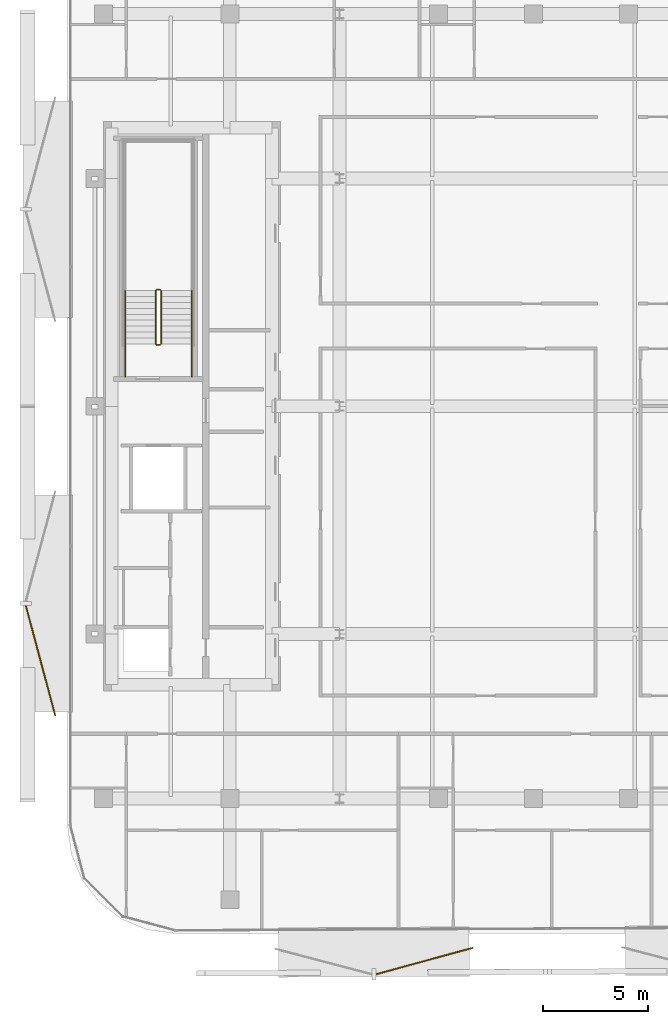
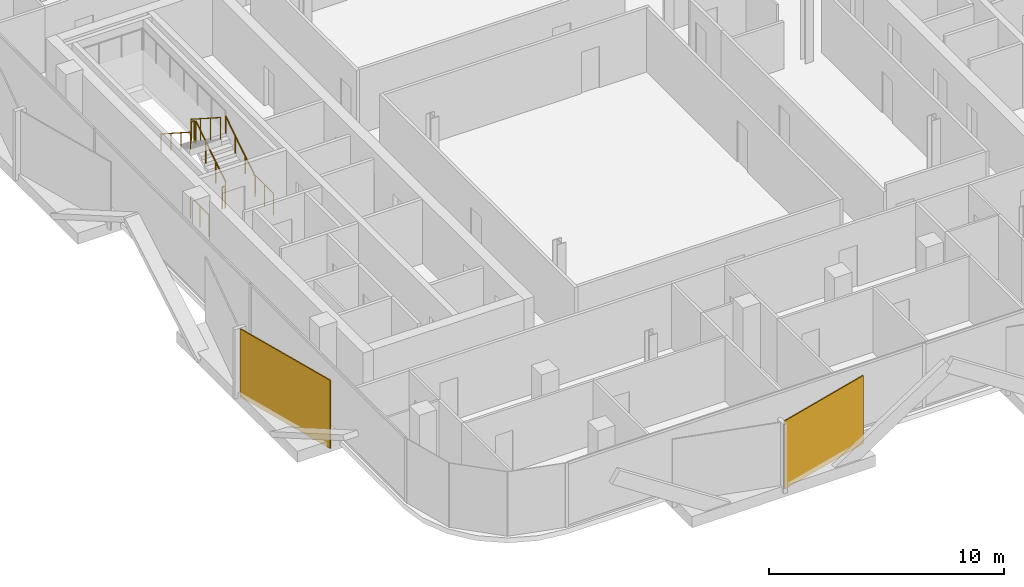
# One storey, part 13 of 15: 8 railings, 2 coverings.
"""IFC4 building model written with IfcOpenShell, lengths in metres."""

from ifc_helpers import new_model, si_unit, direction, frame, origin, origin_2d, place, context, subcontext, project, spatial, rectangle, circle, extrude, material, layer, layer_set, type_object, element, save


model = new_model("IFC4")

# Units and contexts
model_context = context("Model", 3, precision=1e-05, world=origin(), true_north=direction((0.0, 1.0)))
body_context = subcontext(model_context, "Body", "Model", "MODEL_VIEW")
ifc_project = project(units=[si_unit("LENGTHUNIT", "METRE"), si_unit("AREAUNIT", "SQUARE_METRE"), si_unit("VOLUMEUNIT", "CUBIC_METRE"), si_unit("PLANEANGLEUNIT", "RADIAN"), si_unit("MASSUNIT", "GRAM", prefix="KILO")], contexts=[model_context])

# Site, building, storey
site_placement = place(None, origin())
site = spatial("IfcSite", under=ifc_project, at=site_placement, CompositionType="ELEMENT")
building_placement = place(site_placement, origin())
building = spatial("IfcBuilding", under=site, at=building_placement, Name="Khairoan Windgate Tower", CompositionType="ELEMENT")
storey_placement = place(building_placement, frame((0.0, 0.0, 251.199951171875)))
storey = spatial("IfcBuildingStorey", under=building, at=storey_placement, Name="L59", CompositionType="ELEMENT", Elevation=251.199951171875)

# Coverings
ifc_material_1 = material(Name="Anodised Bronze Aluminium 6063-T6", Category="aluminium")
ifc_layer = layer(ifc_material_1, 0.054931640625, Name="Anodised Bronze Aluminium 6063-T6")
ifc_layer_set = layer_set([ifc_layer], Name="Anodised Bronze Aluminium 6063-T6")
covering_type = type_object("IfcCoveringType", Name="Perforated Bronze-Ceramic Folded Solar Screen Cladding BSC-1", PredefinedType="CLADDING", material=ifc_layer_set)
covering_1_placement = place(storey_placement, frame((-5.172607421875, -26.30615234375, -0.099853515625), z_axis=(0.0, 0.0, 1.0), x_axis=(-0.964649468762, -0.263536339841, 0.0)))
element("IfcCovering", 1, at=covering_1_placement, inside=storey, type_object=covering_type, Name="L59 Folded Bronze Solar Screen Facet 402L", PredefinedType="CLADDING", context=body_context, shape_type="SweptSolid", body=[
    extrude(rectangle(XDim=4.76708984375, YDim=0.054931640625, at=origin_2d()), origin(), (0.0, 0.0, 1.0), 3.5400390625),
])
covering_2_placement = place(storey_placement, frame((-23.378662109375, -12.052978515625, -0.099853515625), z_axis=(0.0, 0.0, 1.0), x_axis=(-0.258819045103, 0.965925826289, 0.0)))
element("IfcCovering", 2, at=covering_2_placement, inside=storey, type_object=covering_type, Name="L59 Folded Bronze Solar Screen Facet 403L", PredefinedType="CLADDING", context=body_context, shape_type="SweptSolid", body=[
    extrude(rectangle(XDim=5.419921875, YDim=0.054931640625, at=origin_2d()), origin(), (0.0, 0.0, 1.0), 3.5400390625),
])

# Railings
ifc_material_2 = material(Name="Anodised Bronze Aluminium 6063-T6", Category="aluminium")
railing_type_1 = type_object("IfcRailingType", Name="Stair Wall Handrail SHR-900", PredefinedType="HANDRAIL", material=ifc_material_2)
railing_1_placement = place(storey_placement, frame((-16.199951171875, 2.9599609375, 0.179931640625)))
element("IfcRailing", 3, at=railing_1_placement, inside=storey, type_object=railing_type_1, Name="L59 ST2 stair handrail 1", PredefinedType="HANDRAIL", context=body_context, shape_type="SweptSolid", body=[
    extrude(circle(Radius=0.02392578125, at=origin_2d()), frame((0.0, 0.0, 0.8759765625), z_axis=(0.0, 0.841162588446, 0.540782303519), x_axis=(-1.0, 0.0, 0.0)), (0.0, 0.0, 1.0), 2.995849609375),
    extrude(circle(Radius=0.02099609375, at=origin_2d()), origin(), (0.0, 0.0, 1.0), 0.851806640625),
    extrude(circle(Radius=0.02099609375, at=origin_2d()), frame((0.0, 0.840087890625, 0.5400390625)), (0.0, 0.0, 1.0), 0.851806640625),
    extrude(circle(Radius=0.02099609375, at=origin_2d()), frame((0.0, 1.679931640625, 1.080078125)), (0.0, 0.0, 1.0), 0.851806640625),
    extrude(circle(Radius=0.02099609375, at=origin_2d()), frame((0.0, 2.52001953125, 1.6201171875)), (0.0, 0.0, 1.0), 0.851806640625),
])
railing_2_placement = place(storey_placement, frame((-19.3701171875, 5.47998046875, 1.97998046875)))
element("IfcRailing", 4, at=railing_2_placement, inside=storey, type_object=railing_type_1, Name="L59 ST2 stair handrail 2", PredefinedType="HANDRAIL", context=body_context, shape_type="SweptSolid", body=[
    extrude(circle(Radius=0.02392578125, at=origin_2d()), frame((0.0, 0.0, 0.8759765625), z_axis=(0.0, -0.841162588446, 0.540782303519), x_axis=(1.0, 0.0, 0.0)), (0.0, 0.0, 1.0), 2.995849609375),
    extrude(circle(Radius=0.02099609375, at=origin_2d()), origin(), (0.0, 0.0, 1.0), 0.851806640625),
    extrude(circle(Radius=0.02099609375, at=origin_2d()), frame((0.0, -0.840087890625, 0.5400390625)), (0.0, 0.0, 1.0), 0.851806640625),
    extrude(circle(Radius=0.02099609375, at=origin_2d()), frame((0.0, -1.679931640625, 1.080078125)), (0.0, 0.0, 1.0), 0.851806640625),
    extrude(circle(Radius=0.02099609375, at=origin_2d()), frame((0.0, -2.52001953125, 1.6201171875)), (0.0, 0.0, 1.0), 0.851806640625),
])
ifc_material_3 = material(Name="Steel S355", Category="steel")
railing_type_2 = type_object("IfcRailingType", Name="Stairwell Safety Guardrail SGR-1150", PredefinedType="GUARDRAIL", material=ifc_material_3)
railing_3_placement = place(storey_placement, frame((-17.659912109375, 2.9599609375, 0.179931640625)))
element("IfcRailing", 5, at=railing_3_placement, inside=storey, type_object=railing_type_2, Name="L59 ST2 stair guard 1", PredefinedType="GUARDRAIL", context=body_context, shape_type="SweptSolid", body=[
    extrude(circle(Radius=0.02392578125, at=origin_2d()), frame((0.0, 0.0, 1.1259765625), z_axis=(0.0, 0.841162588446, 0.540782303519), x_axis=(-1.0, 0.0, 0.0)), (0.0, 0.0, 1.0), 2.995849609375),
    extrude(circle(Radius=0.02099609375, at=origin_2d()), origin(), (0.0, 0.0, 1.0), 1.101806640625),
    extrude(circle(Radius=0.02099609375, at=origin_2d()), frame((0.0, 0.840087890625, 0.5400390625)), (0.0, 0.0, 1.0), 1.101806640625),
    extrude(circle(Radius=0.02099609375, at=origin_2d()), frame((0.0, 1.679931640625, 1.080078125)), (0.0, 0.0, 1.0), 1.101806640625),
    extrude(circle(Radius=0.02099609375, at=origin_2d()), frame((0.0, 2.52001953125, 1.6201171875)), (0.0, 0.0, 1.0), 1.101806640625),
])
railing_4_placement = place(storey_placement, frame((-17.7099609375, 5.530029296875, 1.800048828125)))
element("IfcRailing", 6, at=railing_4_placement, inside=storey, type_object=railing_type_2, Name="L59 ST2 stair guard 2", PredefinedType="GUARDRAIL", context=body_context, shape_type="SweptSolid", body=[
    extrude(circle(Radius=0.02392578125, at=origin_2d()), frame((0.0, 0.0, 1.1259765625), z_axis=(-1.0, 0.0, 0.0), x_axis=(0.0, -1.0, 0.0)), (0.0, 0.0, 1.0), 0.150146484375),
    extrude(circle(Radius=0.02099609375, at=origin_2d()), origin(), (0.0, 0.0, 1.0), 1.101806640625),
    extrude(circle(Radius=0.02099609375, at=origin_2d()), frame((-0.150146484375, 0.0, 0.0)), (0.0, 0.0, 1.0), 1.101806640625),
])
railing_5_placement = place(storey_placement, frame((-17.909912109375, 5.47998046875, 1.97998046875)))
element("IfcRailing", 7, at=railing_5_placement, inside=storey, type_object=railing_type_2, Name="L59 ST2 stair guard 6", PredefinedType="GUARDRAIL", context=body_context, shape_type="SweptSolid", body=[
    extrude(circle(Radius=0.02392578125, at=origin_2d()), frame((0.0, 0.0, 1.1259765625), z_axis=(0.0, -0.841162588446, 0.540782303519), x_axis=(1.0, 0.0, 0.0)), (0.0, 0.0, 1.0), 2.995849609375),
    extrude(circle(Radius=0.02099609375, at=origin_2d()), origin(), (0.0, 0.0, 1.0), 1.101806640625),
    extrude(circle(Radius=0.02099609375, at=origin_2d()), frame((0.0, -0.840087890625, 0.5400390625)), (0.0, 0.0, 1.0), 1.101806640625),
    extrude(circle(Radius=0.02099609375, at=origin_2d()), frame((0.0, -1.679931640625, 1.080078125)), (0.0, 0.0, 1.0), 1.101806640625),
    extrude(circle(Radius=0.02099609375, at=origin_2d()), frame((0.0, -2.52001953125, 1.6201171875)), (0.0, 0.0, 1.0), 1.101806640625),
])
railing_6_placement = place(storey_placement, frame((-17.7099609375, 2.909912109375, 0.0)))
element("IfcRailing", 8, at=railing_6_placement, inside=storey, type_object=railing_type_2, Name="L59 ST2 stair guard 7", PredefinedType="GUARDRAIL", context=body_context, shape_type="SweptSolid", body=[
    extrude(circle(Radius=0.02392578125, at=origin_2d()), frame((0.0, 0.0, 1.1259765625), z_axis=(-1.0, 0.0, 0.0), x_axis=(0.0, -1.0, 0.0)), (0.0, 0.0, 1.0), 0.150146484375),
    extrude(circle(Radius=0.02099609375, at=origin_2d()), origin(), (0.0, 0.0, 1.0), 1.101806640625),
    extrude(circle(Radius=0.02099609375, at=origin_2d()), frame((-0.150146484375, 0.0, 0.0)), (0.0, 0.0, 1.0), 1.101806640625),
])
for number, where, name in (
    (9, (-16.199951171875, 1.39990234375, 0.0), "L59 ST2 stair guard 8"),
    (10, (-19.3701171875, 1.39990234375, 0.0), "L59 ST2 stair guard 9"),
):
    element("IfcRailing", number, at=place(storey_placement, frame(where)), inside=storey, type_object=railing_type_2, Name=name, PredefinedType="GUARDRAIL", context=body_context, shape_type="SweptSolid", body=[
        extrude(circle(Radius=0.02392578125, at=origin_2d()), frame((0.0, 0.0, 1.1259765625), z_axis=(0.0, 1.0, 0.0), x_axis=(-1.0, 0.0, 0.0)), (0.0, 0.0, 1.0), 1.56005859375),
        extrude(circle(Radius=0.02099609375, at=origin_2d()), origin(), (0.0, 0.0, 1.0), 1.101806640625),
        extrude(circle(Radius=0.02099609375, at=origin_2d()), frame((0.0, 0.780029296875, 0.0)), (0.0, 0.0, 1.0), 1.101806640625),
        extrude(circle(Radius=0.02099609375, at=origin_2d()), frame((0.0, 1.56005859375, 0.0)), (0.0, 0.0, 1.0), 1.101806640625),
    ])

save(model, "model.ifc")
